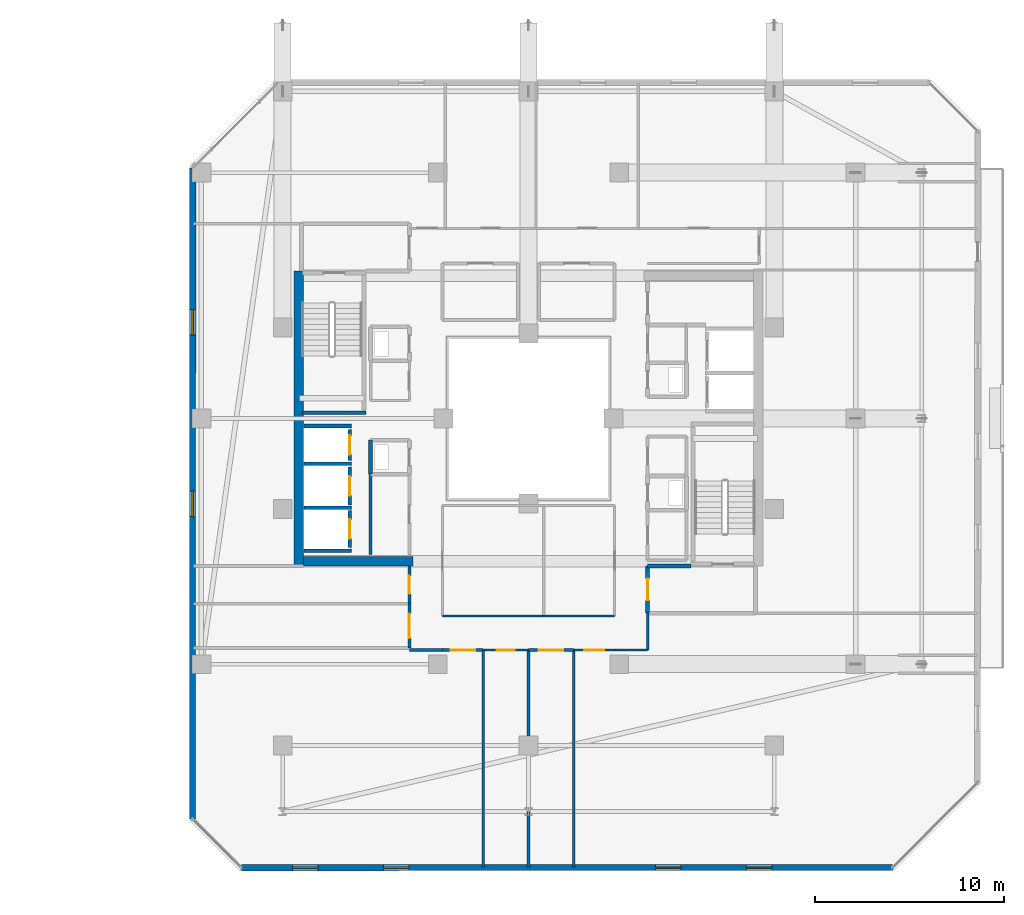
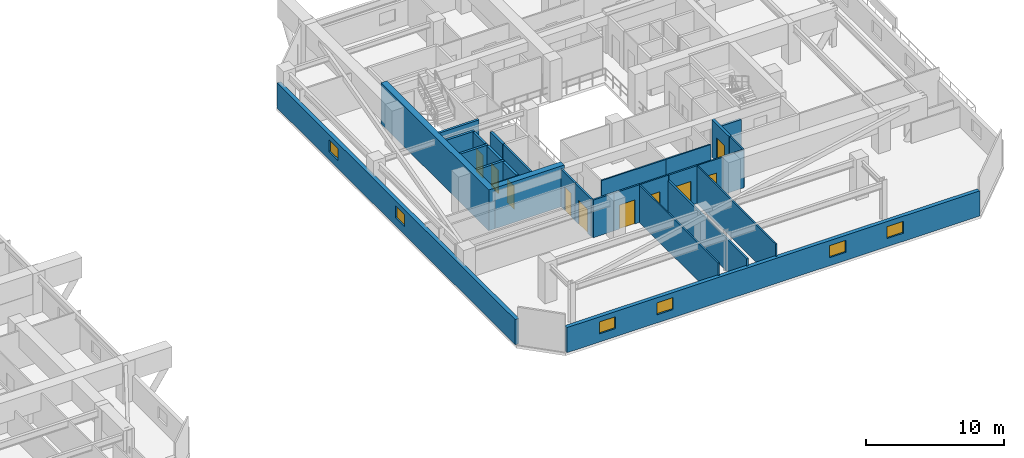
# One storey, part 24 of 34: 30 walls, 10 doors, 6 windows, 16 openings.
"""IFC4 building model written with IfcOpenShell, lengths in metres."""

from ifc_helpers import new_model, si_unit, direction, frame, frame_2d, origin, place, context, subcontext, project, spatial, rectangle, extrude, material, layer, layer_set, type_object, element, fill, save


model = new_model("IFC4")

# Units and contexts
model_context = context("Model", 3, precision=1e-05, world=origin(), true_north=direction((0.0, 1.0)))
body_context = subcontext(model_context, "Body", "Model", "MODEL_VIEW")
ifc_project = project(units=[si_unit("LENGTHUNIT", "METRE"), si_unit("AREAUNIT", "SQUARE_METRE"), si_unit("VOLUMEUNIT", "CUBIC_METRE"), si_unit("PLANEANGLEUNIT", "RADIAN"), si_unit("MASSUNIT", "GRAM", prefix="KILO")], contexts=[model_context])

# Site, building, storey
site_placement = place(None, origin())
site = spatial("IfcSite", under=ifc_project, at=site_placement, CompositionType="ELEMENT")
building_placement = place(site_placement, origin())
building = spatial("IfcBuilding", under=site, at=building_placement, Name="Thornwick Lancets Civic Towers", CompositionType="ELEMENT")
storey_placement = place(building_placement, frame((0.0, 0.0, 251.10009765625)))
storey = spatial("IfcBuildingStorey", under=building, at=storey_placement, Name="L67", CompositionType="ELEMENT", Elevation=251.10009765625)

# Wall, opening, door
ifc_material_1 = material(Name="Concrete blockwork C40/50", Category="masonry")
ifc_layer_1 = layer(ifc_material_1, 0.199951171875, Name="Concrete blockwork C40/50")
ifc_layer_set_1 = layer_set([ifc_layer_1], Name="Concrete blockwork C40/50")
wall_type_1 = type_object("IfcWallType", Name="WALL_COMP_200", PredefinedType="STANDARD", material=ifc_layer_set_1)
wall_1_placement = place(storey_placement, frame((79.050048828125, 24.780029296875, 0.0), z_axis=(0.0, 0.0, 1.0), x_axis=(0.0, 1.0, 0.0)))
wall_1 = element("IfcWall", 1, at=wall_1_placement, inside=storey, type_object=wall_type_1, Name="L67 Hoistway Front Wall FL-B2", PredefinedType="STANDARD", context=body_context, shape_type="SweptSolid", body=[
    extrude(rectangle(XDim=1.639892578125, YDim=0.199951171875, at=frame_2d((0.81982421875, 0.0))), origin(), (0.0, 0.0, 1.0), 3.31982421875),
])
opening_1_placement = place(wall_1_placement, frame((0.31005859375, 0.0, 0.0)))
opening_1 = element("IfcOpeningElement", 2, at=opening_1_placement, cuts=wall_1, Name="Opening LD-FL-B2", PredefinedType="OPENING", context=body_context, shape_type="SweptSolid", body=[
    extrude(rectangle(XDim=1.02001953125, YDim=2.06005859375, at=frame_2d((0.510009765625, 1.030029296875))), frame((0.0, 0.10986328125, 0.0), z_axis=(0.0, -1.0, 0.0), x_axis=(1.0, 0.0, 0.0)), (0.0, 0.0, 1.0), 0.219970703125),
])
ifc_material_2 = material(Name="Brushed bronze stainless steel", Category="steel")
door_type_1 = type_object("IfcDoorType", Name="DOOR_LIFT_SLIDE", OperationType="SLIDING_TO_LEFT", PredefinedType="DOOR", material=ifc_material_2)
door_1_placement = place(opening_1_placement, origin())
door_1 = element("IfcDoor", 3, at=door_1_placement, inside=storey, type_object=door_type_1, Name="L67 Sliding Lift Landing Door LD-FL-B2", OperationType="SLIDING_TO_LEFT", OverallHeight=2.06005859375, OverallWidth=1.02001953125, PredefinedType="DOOR", context=body_context, shape_type="SweptSolid", body=[
    extrude(rectangle(XDim=1.02001953125, YDim=2.06005859375, at=frame_2d((0.510009765625, 1.030029296875))), frame((0.0, 0.02490234375, 0.0), z_axis=(0.0, -1.0, 0.0), x_axis=(1.0, 0.0, 0.0)), (0.0, 0.0, 1.0), 0.050048828125),
])
fill(opening_1, door_1)

wall_2_placement = place(storey_placement, frame((79.050048828125, 22.429931640625, 0.0), z_axis=(0.0, 0.0, 1.0), x_axis=(0.0, 1.0, 0.0)))
wall_2 = element("IfcWall", 4, at=wall_2_placement, inside=storey, type_object=wall_type_1, Name="L67 Hoistway Front Wall PL-BH2", PredefinedType="STANDARD", context=body_context, shape_type="SweptSolid", body=[
    extrude(rectangle(XDim=1.989990234375, YDim=0.199951171875, at=frame_2d((0.9951171875, 0.0))), origin(), (0.0, 0.0, 1.0), 3.31982421875),
])
opening_2_placement = place(wall_2_placement, frame((0.485107421875, 0.0, 0.0)))
opening_2 = element("IfcOpeningElement", 5, at=opening_2_placement, cuts=wall_2, Name="Opening LD-PL-BH2", PredefinedType="OPENING", context=body_context, shape_type="SweptSolid", body=[
    extrude(rectangle(XDim=1.02001953125, YDim=2.06005859375, at=frame_2d((0.510009765625, 1.030029296875))), frame((0.0, 0.10986328125, 0.0), z_axis=(0.0, -1.0, 0.0), x_axis=(1.0, 0.0, 0.0)), (0.0, 0.0, 1.0), 0.219970703125),
])
door_2_placement = place(opening_2_placement, origin())
door_2 = element("IfcDoor", 6, at=door_2_placement, inside=storey, type_object=door_type_1, Name="L67 Sliding Lift Landing Door LD-PL-BH2", OperationType="SLIDING_TO_LEFT", OverallHeight=2.06005859375, OverallWidth=1.02001953125, PredefinedType="DOOR", context=body_context, shape_type="SweptSolid", body=[
    extrude(rectangle(XDim=1.02001953125, YDim=2.06005859375, at=frame_2d((0.510009765625, 1.030029296875))), frame((0.0, 0.02490234375, 0.0), z_axis=(0.0, -1.0, 0.0), x_axis=(1.0, 0.0, 0.0)), (0.0, 0.0, 1.0), 0.050048828125),
])
fill(opening_2, door_2)

wall_3_placement = place(storey_placement, frame((79.050048828125, 20.179931640625, 0.0), z_axis=(0.0, 0.0, 1.0), x_axis=(0.0, 1.0, 0.0)))
wall_3 = element("IfcWall", 7, at=wall_3_placement, inside=storey, type_object=wall_type_1, Name="L67 Hoistway Front Wall PL-BH3", PredefinedType="STANDARD", context=body_context, shape_type="SweptSolid", body=[
    extrude(rectangle(XDim=1.940185546875, YDim=0.199951171875, at=frame_2d((0.97021484375, 0.0))), origin(), (0.0, 0.0, 1.0), 3.31982421875),
])
opening_3_placement = place(wall_3_placement, frame((0.4599609375, 0.0, 0.0)))
opening_3 = element("IfcOpeningElement", 8, at=opening_3_placement, cuts=wall_3, Name="Opening LD-PL-BH3", PredefinedType="OPENING", context=body_context, shape_type="SweptSolid", body=[
    extrude(rectangle(XDim=1.02001953125, YDim=2.06005859375, at=frame_2d((0.510009765625, 1.030029296875))), frame((0.0, 0.10986328125, 0.0), z_axis=(0.0, -1.0, 0.0), x_axis=(1.0, 0.0, 0.0)), (0.0, 0.0, 1.0), 0.219970703125),
])
door_3_placement = place(opening_3_placement, origin())
door_3 = element("IfcDoor", 9, at=door_3_placement, inside=storey, type_object=door_type_1, Name="L67 Sliding Lift Landing Door LD-PL-BH3", OperationType="SLIDING_TO_LEFT", OverallHeight=2.06005859375, OverallWidth=1.02001953125, PredefinedType="DOOR", context=body_context, shape_type="SweptSolid", body=[
    extrude(rectangle(XDim=1.02001953125, YDim=2.06005859375, at=frame_2d((0.510009765625, 1.030029296875))), frame((0.0, 0.02490234375, 0.0), z_axis=(0.0, -1.0, 0.0), x_axis=(1.0, 0.0, 0.0)), (0.0, 0.0, 1.0), 0.050048828125),
])
fill(opening_3, door_3)

# Walls
for number, where, z_axis, x_axis, name in (
    (10, (76.612060546875, 26.60009765625, 0.0), (0.0, 0.0, 1.0), (1.0, 0.0, 0.0), "L67 Hoistway Shaft Wall FL-B2 N"),
    (11, (76.612060546875, 24.60009765625, 0.0), (0.0, 0.0, 1.0), (1.0, 0.0, 0.0), "L67 Hoistway Shaft Wall FL-B2 S"),
    (12, (76.612060546875, 22.27490234375, 0.0), (0.0, 0.0, 1.0), (1.0, 0.0, 0.0), "L67 Hoistway Shaft Wall PL-BH2 S"),
    (13, (76.612060546875, 20.0, 0.0), (0.0, 0.0, 1.0), (1.0, 0.0, 0.0), "L67 Hoistway Shaft Wall PL-BH3 S"),
):
    element("IfcWall", number, at=place(storey_placement, frame(where, z_axis=z_axis, x_axis=x_axis)), inside=storey, type_object=wall_type_1, Name=name, PredefinedType="STANDARD", context=body_context, shape_type="SweptSolid", body=[
        extrude(rectangle(XDim=2.535888671875, YDim=0.199951171875, at=frame_2d((1.26806640625, 0.0))), origin(), (0.0, 0.0, 1.0), 3.31982421875),
    ])
wall_4_placement = place(storey_placement, frame((97.10009765625, 19.199951171875, 0.0), z_axis=(0.0, 0.0, 1.0), x_axis=(-1.0, 0.0, 0.0)))
element("IfcWall", 14, at=wall_4_placement, inside=storey, type_object=wall_type_1, Name="L67 Partition L67-B-FFLOB1 E3", PredefinedType="STANDARD", context=body_context, shape_type="SweptSolid", body=[
    extrude(rectangle(XDim=2.300048828125, YDim=0.199951171875, at=frame_2d((1.14990234375, 0.0))), origin(), (0.0, 0.0, 1.0), 2.52490234375),
])

# Wall, opening, door
wall_5_placement = place(storey_placement, frame((94.800048828125, 19.199951171875, 0.0), z_axis=(0.0, 0.0, 1.0), x_axis=(0.0, -1.0, 0.0)))
wall_5 = element("IfcWall", 15, at=wall_5_placement, inside=storey, type_object=wall_type_1, Name="L67 Partition L67-B-FFLOB1 E4", PredefinedType="STANDARD", context=body_context, shape_type="SweptSolid", body=[
    extrude(rectangle(XDim=2.5, YDim=0.199951171875, at=frame_2d((1.25, 0.0))), origin(), (0.0, 0.0, 1.0), 3.31982421875),
])
opening_4_placement = place(wall_5_placement, frame((0.675048828125, 0.0, 0.0)))
opening_4 = element("IfcOpeningElement", 16, at=opening_4_placement, cuts=wall_5, Name="Opening D-L67-3045", PredefinedType="OPENING", context=body_context, shape_type="SweptSolid", body=[
    extrude(rectangle(XDim=1.14990234375, YDim=2.10009765625, at=frame_2d((0.574951171875, 1.050048828125))), frame((0.0, 0.10986328125, 0.0), z_axis=(0.0, -1.0, 0.0), x_axis=(1.0, 0.0, 0.0)), (0.0, 0.0, 1.0), 0.219970703125),
])
ifc_material_3 = material(Name="Glazed fire-resisting steel", Category="steel")
door_type_2 = type_object("IfcDoorType", Name="DOOR_LOBBY_FD60", OperationType="NOTDEFINED", PredefinedType="DOOR", material=ifc_material_3)
door_4_placement = place(opening_4_placement, origin())
door_4 = element("IfcDoor", 17, at=door_4_placement, inside=storey, type_object=door_type_2, Name="L67 East Firefighting Lobby 1 Door", OperationType="SINGLE_SWING_RIGHT", OverallHeight=2.10009765625, OverallWidth=1.14990234375, PredefinedType="DOOR", context=body_context, shape_type="SweptSolid", body=[
    extrude(rectangle(XDim=1.14990234375, YDim=2.10009765625, at=frame_2d((0.574951171875, 1.050048828125))), frame((0.0, 0.02490234375, 0.0), z_axis=(0.0, -1.0, 0.0), x_axis=(1.0, 0.0, 0.0)), (0.0, 0.0, 1.0), 0.050048828125),
])
fill(opening_4, door_4)

# Walls
wall_6_placement = place(storey_placement, frame((80.14990234375, 25.85009765625, 0.0), z_axis=(0.0, 0.0, 1.0), x_axis=(0.0, -1.0, 0.0)))
element("IfcWall", 18, at=wall_6_placement, inside=storey, type_object=wall_type_1, Name="L67 Partition L67-B-DUCT2 E4", PredefinedType="STANDARD", context=body_context, shape_type="SweptSolid", body=[
    extrude(rectangle(XDim=1.800048828125, YDim=0.199951171875, at=frame_2d((0.89990234375, 0.0))), origin(), (0.0, 0.0, 1.0), 3.31982421875),
])
ifc_material_4 = material(Name="Concrete C50/60", Category="concrete")
ifc_layer_2 = layer(ifc_material_4, 0.5, Name="Concrete C50/60")
ifc_layer_set_2 = layer_set([ifc_layer_2], Name="Concrete C50/60")
wall_type_2 = type_object("IfcWallType", Name="WALL_CORE_500", PredefinedType="SHEAR", material=ifc_layer_set_2)
wall_7_placement = place(storey_placement, frame((76.35009765625, 19.199951171875, 0.0), z_axis=(0.0, 0.0, 1.0), x_axis=(0.0, 1.0, 0.0)))
element("IfcWall", 19, at=wall_7_placement, inside=storey, type_object=wall_type_2, Name="L67 Split Core B2 Shear Wall W", PredefinedType="SHEAR", context=body_context, shape_type="SweptSolid", body=[
    extrude(rectangle(XDim=15.60009765625, YDim=0.5, at=frame_2d((7.800048828125, 0.0))), origin(), (0.0, 0.0, 1.0), 3.599853515625),
])
wall_8_placement = place(storey_placement, frame((76.60009765625, 19.449951171875, 0.0), z_axis=(0.0, 0.0, 1.0), x_axis=(1.0, 0.0, 0.0)))
element("IfcWall", 20, at=wall_8_placement, inside=storey, type_object=wall_type_2, Name="L67 Split Core B2 Shear Wall S", PredefinedType="SHEAR", context=body_context, shape_type="SweptSolid", body=[
    extrude(rectangle(XDim=5.7998046875, YDim=0.5, at=frame_2d((2.89990234375, 0.0))), origin(), (0.0, 0.0, 1.0), 3.599853515625),
])

# Wall, openings, windows
ifc_material_5 = material(Name="Insulated buff terracotta rainscreen on concrete C40/50", Category="masonry")
ifc_layer_3 = layer(ifc_material_5, 0.320068359375, Name="Insulated buff terracotta rainscreen on concrete C40/50")
ifc_layer_set_3 = layer_set([ifc_layer_3], Name="Insulated buff terracotta rainscreen on concrete C40/50")
wall_type_3 = type_object("IfcWallType", Name="WALL_EXT_TERRA_320", PredefinedType="STANDARD", material=ifc_layer_set_3)
wall_9_placement = place(storey_placement, frame((73.318603515625, 3.2353515625, 0.0), z_axis=(0.0, 0.0, 1.0), x_axis=(0.999999983007, 0.000184351399, 0.0)))
wall_9 = element("IfcWall", 21, at=wall_9_placement, inside=storey, type_object=wall_type_3, Name="L67 Tower B Terracotta Facade Wall E0", PredefinedType="STANDARD", context=body_context, shape_type="SweptSolid", body=[
    extrude(rectangle(XDim=34.432373046875, YDim=0.320068359375, at=frame_2d((17.21630859375, 0.0))), origin(), (0.0, 0.0, 1.0), 2.219970703125),
])
opening_5_placement = place(wall_9_placement, frame((2.699951171875, 0.0, 0.719970703125)))
opening_5 = element("IfcOpeningElement", 22, at=opening_5_placement, cuts=wall_9, Name="Opening WL-03", PredefinedType="OPENING", context=body_context, shape_type="SweptSolid", body=[
    extrude(rectangle(XDim=1.35009765625, YDim=1.050048828125, at=frame_2d((0.675048828125, 0.52490234375))), frame((0.0, 0.169921875, 0.0), z_axis=(0.0, -1.0, 0.0), x_axis=(1.0, 0.0, 0.0)), (0.0, 0.0, 1.0), 0.340087890625),
])
opening_6_placement = place(wall_9_placement, frame((7.5, 0.0, 0.719970703125)))
opening_6 = element("IfcOpeningElement", 23, at=opening_6_placement, cuts=wall_9, Name="Opening WL-03", PredefinedType="OPENING", context=body_context, shape_type="SweptSolid", body=[
    extrude(rectangle(XDim=1.35009765625, YDim=1.050048828125, at=frame_2d((0.675048828125, 0.52490234375))), frame((0.0, 0.169921875, 0.0), z_axis=(0.0, -1.0, 0.0), x_axis=(1.0, 0.0, 0.0)), (0.0, 0.0, 1.0), 0.340087890625),
])
opening_7_placement = place(wall_9_placement, frame((21.89990234375, 0.0, 0.719970703125)))
opening_7 = element("IfcOpeningElement", 24, at=opening_7_placement, cuts=wall_9, Name="Opening WL-03", PredefinedType="OPENING", context=body_context, shape_type="SweptSolid", body=[
    extrude(rectangle(XDim=1.35009765625, YDim=1.050048828125, at=frame_2d((0.675048828125, 0.52490234375))), frame((0.0, 0.169921875, 0.0), z_axis=(0.0, -1.0, 0.0), x_axis=(1.0, 0.0, 0.0)), (0.0, 0.0, 1.0), 0.340087890625),
])
opening_8_placement = place(wall_9_placement, frame((26.699951171875, 0.0, 0.719970703125)))
opening_8 = element("IfcOpeningElement", 25, at=opening_8_placement, cuts=wall_9, Name="Opening WL-03", PredefinedType="OPENING", context=body_context, shape_type="SweptSolid", body=[
    extrude(rectangle(XDim=1.35009765625, YDim=1.050048828125, at=frame_2d((0.675048828125, 0.52490234375))), frame((0.0, 0.169921875, 0.0), z_axis=(0.0, -1.0, 0.0), x_axis=(1.0, 0.0, 0.0)), (0.0, 0.0, 1.0), 0.340087890625),
])
ifc_material_6 = material(Name="Clear low-e double glazing clerestory lancet", Category="glass")
window_type = type_object("IfcWindowType", Name="WIN_LANCET_1350", PartitioningType="SINGLE_PANEL", PredefinedType="WINDOW", material=ifc_material_6)
window_1_placement = place(opening_5_placement, origin())
window_1 = element("IfcWindow", 26, at=window_1_placement, inside=storey, type_object=window_type, Name="L67 Tower B Staggered Lancet Window E0-1", OverallHeight=1.050048828125, OverallWidth=1.35009765625, PartitioningType="SINGLE_PANEL", PredefinedType="WINDOW", context=body_context, shape_type="SweptSolid", body=[
    extrude(rectangle(XDim=1.35009765625, YDim=1.050048828125, at=frame_2d((0.675048828125, 0.52490234375))), frame((0.0, 0.030029296875, 0.0), z_axis=(0.0, -1.0, 0.0), x_axis=(1.0, 0.0, 0.0)), (0.0, 0.0, 1.0), 0.06005859375),
])
fill(opening_5, window_1)
window_2_placement = place(opening_6_placement, origin())
window_2 = element("IfcWindow", 27, at=window_2_placement, inside=storey, type_object=window_type, Name="L67 Tower B Staggered Lancet Window E0-2", OverallHeight=1.050048828125, OverallWidth=1.35009765625, PartitioningType="SINGLE_PANEL", PredefinedType="WINDOW", context=body_context, shape_type="SweptSolid", body=[
    extrude(rectangle(XDim=1.35009765625, YDim=1.050048828125, at=frame_2d((0.675048828125, 0.52490234375))), frame((0.0, 0.030029296875, 0.0), z_axis=(0.0, -1.0, 0.0), x_axis=(1.0, 0.0, 0.0)), (0.0, 0.0, 1.0), 0.06005859375),
])
fill(opening_6, window_2)
window_3_placement = place(opening_7_placement, origin())
window_3 = element("IfcWindow", 28, at=window_3_placement, inside=storey, type_object=window_type, Name="L67 Tower B Staggered Lancet Window E0-3", OverallHeight=1.050048828125, OverallWidth=1.35009765625, PartitioningType="SINGLE_PANEL", PredefinedType="WINDOW", context=body_context, shape_type="SweptSolid", body=[
    extrude(rectangle(XDim=1.35009765625, YDim=1.050048828125, at=frame_2d((0.675048828125, 0.52490234375))), frame((0.0, 0.030029296875, 0.0), z_axis=(0.0, -1.0, 0.0), x_axis=(1.0, 0.0, 0.0)), (0.0, 0.0, 1.0), 0.06005859375),
])
fill(opening_7, window_3)
window_4_placement = place(opening_8_placement, origin())
window_4 = element("IfcWindow", 29, at=window_4_placement, inside=storey, type_object=window_type, Name="L67 Tower B Staggered Lancet Window E0-4", OverallHeight=1.050048828125, OverallWidth=1.35009765625, PartitioningType="SINGLE_PANEL", PredefinedType="WINDOW", context=body_context, shape_type="SweptSolid", body=[
    extrude(rectangle(XDim=1.35009765625, YDim=1.050048828125, at=frame_2d((0.675048828125, 0.52490234375))), frame((0.0, 0.030029296875, 0.0), z_axis=(0.0, -1.0, 0.0), x_axis=(1.0, 0.0, 0.0)), (0.0, 0.0, 1.0), 0.06005859375),
])
fill(opening_8, window_4)

wall_10_placement = place(storey_placement, frame((70.74169921875, 40.2509765625, 0.0), z_axis=(0.0, 0.0, 1.0), x_axis=(-0.000184351399, -0.999999983007, 0.0)))
wall_10 = element("IfcWall", 30, at=wall_10_placement, inside=storey, type_object=wall_type_3, Name="L67 Tower B Terracotta Facade Wall E6", PredefinedType="STANDARD", context=body_context, shape_type="SweptSolid", body=[
    extrude(rectangle(XDim=34.432373046875, YDim=0.320068359375, at=frame_2d((17.21630859375, 0.0))), origin(), (0.0, 0.0, 1.0), 2.219970703125),
])
opening_9_placement = place(wall_10_placement, frame((7.5, 0.0, 0.719970703125)))
opening_9 = element("IfcOpeningElement", 31, at=opening_9_placement, cuts=wall_10, Name="Opening WL-03", PredefinedType="OPENING", context=body_context, shape_type="SweptSolid", body=[
    extrude(rectangle(XDim=1.35009765625, YDim=1.050048828125, at=frame_2d((0.675048828125, 0.52490234375))), frame((0.0, 0.169921875, 0.0), z_axis=(0.0, -1.0, 0.0), x_axis=(1.0, 0.0, 0.0)), (0.0, 0.0, 1.0), 0.340087890625),
])
opening_10_placement = place(wall_10_placement, frame((17.10009765625, 0.0, 0.719970703125)))
opening_10 = element("IfcOpeningElement", 32, at=opening_10_placement, cuts=wall_10, Name="Opening WL-03", PredefinedType="OPENING", context=body_context, shape_type="SweptSolid", body=[
    extrude(rectangle(XDim=1.35009765625, YDim=1.050048828125, at=frame_2d((0.675048828125, 0.52490234375))), frame((0.0, 0.169921875, 0.0), z_axis=(0.0, -1.0, 0.0), x_axis=(1.0, 0.0, 0.0)), (0.0, 0.0, 1.0), 0.340087890625),
])
window_5_placement = place(opening_9_placement, origin())
window_5 = element("IfcWindow", 33, at=window_5_placement, inside=storey, type_object=window_type, Name="L67 Tower B Staggered Lancet Window E6-1", OverallHeight=1.050048828125, OverallWidth=1.35009765625, PartitioningType="SINGLE_PANEL", PredefinedType="WINDOW", context=body_context, shape_type="SweptSolid", body=[
    extrude(rectangle(XDim=1.35009765625, YDim=1.050048828125, at=frame_2d((0.675048828125, 0.52490234375))), frame((0.0, 0.030029296875, 0.0), z_axis=(0.0, -1.0, 0.0), x_axis=(1.0, 0.0, 0.0)), (0.0, 0.0, 1.0), 0.06005859375),
])
fill(opening_9, window_5)
window_6_placement = place(opening_10_placement, origin())
window_6 = element("IfcWindow", 34, at=window_6_placement, inside=storey, type_object=window_type, Name="L67 Tower B Staggered Lancet Window E6-2", OverallHeight=1.050048828125, OverallWidth=1.35009765625, PartitioningType="SINGLE_PANEL", PredefinedType="WINDOW", context=body_context, shape_type="SweptSolid", body=[
    extrude(rectangle(XDim=1.35009765625, YDim=1.050048828125, at=frame_2d((0.675048828125, 0.52490234375))), frame((0.0, 0.030029296875, 0.0), z_axis=(0.0, -1.0, 0.0), x_axis=(1.0, 0.0, 0.0)), (0.0, 0.0, 1.0), 0.06005859375),
])
fill(opening_10, window_6)

# Wall
ifc_material_7 = material(Name="Acoustic gypsum board partition")
ifc_layer_4 = layer(ifc_material_7, 0.1201171875, Name="Acoustic gypsum board partition")
ifc_layer_set_4 = layer_set([ifc_layer_4], Name="Acoustic gypsum board partition")
wall_type_4 = type_object("IfcWallType", Name="WALL_PART_120", PredefinedType="PARTITIONING", material=ifc_layer_set_4)
wall_11_placement = place(storey_placement, frame((90.89990234375, 3.280029296875, 0.0), z_axis=(0.0, 0.0, 1.0), x_axis=(0.0, 1.0, 0.0)))
element("IfcWall", 35, at=wall_11_placement, inside=storey, type_object=wall_type_4, Name="L67 Partition L67-B-W1 E2", PredefinedType="PARTITIONING", context=body_context, shape_type="SweptSolid", body=[
    extrude(rectangle(XDim=11.469970703125, YDim=0.1201171875, at=frame_2d((5.73486328125, 0.0))), origin(), (0.0, 0.0, 1.0), 3.31982421875),
])

# Wall, opening, door
wall_12_placement = place(storey_placement, frame((90.89990234375, 14.75, 0.0), z_axis=(0.0, 0.0, 1.0), x_axis=(1.0, 0.0, 0.0)))
wall_12 = element("IfcWall", 36, at=wall_12_placement, inside=storey, type_object=wall_type_4, Name="L67 Partition L67-B-W1 E3", PredefinedType="PARTITIONING", context=body_context, shape_type="SweptSolid", body=[
    extrude(rectangle(XDim=2.150146484375, YDim=0.1201171875, at=frame_2d((1.0751953125, 0.0))), origin(), (0.0, 0.0, 1.0), 3.31982421875),
])
opening_11_placement = place(wall_12_placement, frame((0.550048828125, 0.0, 0.0)))
opening_11 = element("IfcOpeningElement", 37, at=opening_11_placement, cuts=wall_12, Name="Opening D-L67-3075", PredefinedType="OPENING", context=body_context, shape_type="SweptSolid", body=[
    extrude(rectangle(XDim=1.050048828125, YDim=2.10009765625, at=frame_2d((0.52490234375, 1.050048828125))), frame((0.0, 0.070068359375, 0.0), z_axis=(0.0, -1.0, 0.0), x_axis=(1.0, 0.0, 0.0)), (0.0, 0.0, 1.0), 0.14013671875),
])
ifc_material_8 = material(Name="Glazed European oak executive doorset")
door_type_3 = type_object("IfcDoorType", Name="DOOR_OFFICE_1050", OperationType="NOTDEFINED", PredefinedType="DOOR", material=ifc_material_8)
door_5_placement = place(opening_11_placement, origin())
door_5 = element("IfcDoor", 38, at=door_5_placement, inside=storey, type_object=door_type_3, Name="L67 Tower B Ministry Directorate Office W1 Door", OperationType="SINGLE_SWING_RIGHT", OverallHeight=2.10009765625, OverallWidth=1.050048828125, PredefinedType="DOOR", context=body_context, shape_type="SweptSolid", body=[
    extrude(rectangle(XDim=1.050048828125, YDim=2.10009765625, at=frame_2d((0.52490234375, 1.050048828125))), frame((0.0, 0.02490234375, 0.0), z_axis=(0.0, -1.0, 0.0), x_axis=(1.0, 0.0, 0.0)), (0.0, 0.0, 1.0), 0.050048828125),
])
fill(opening_11, door_5)

# Walls
wall_13_placement = place(storey_placement, frame((93.050048828125, 14.75, 0.0), z_axis=(0.0, 0.0, 1.0), x_axis=(1.0, 0.0, 0.0)))
element("IfcWall", 39, at=wall_13_placement, inside=storey, type_object=wall_type_4, Name="L67 Partition L67-B-W1 E4", PredefinedType="PARTITIONING", context=body_context, shape_type="SweptSolid", body=[
    extrude(rectangle(XDim=1.75, YDim=0.1201171875, at=frame_2d((0.875, 0.0))), origin(), (0.0, 0.0, 1.0), 3.31982421875),
])
wall_14_placement = place(storey_placement, frame((94.800048828125, 14.75, 0.0), z_axis=(0.0, 0.0, 1.0), x_axis=(0.0, 1.0, 0.0)))
element("IfcWall", 40, at=wall_14_placement, inside=storey, type_object=wall_type_4, Name="L67 Partition L67-B-W1 E5", PredefinedType="PARTITIONING", context=body_context, shape_type="SweptSolid", body=[
    extrude(rectangle(XDim=1.949951171875, YDim=0.1201171875, at=frame_2d((0.97509765625, 0.0))), origin(), (0.0, 0.0, 1.0), 3.31982421875),
])
wall_15_placement = place(storey_placement, frame((86.10009765625, 3.280029296875, 0.0), z_axis=(0.0, 0.0, 1.0), x_axis=(0.0, 1.0, 0.0)))
element("IfcWall", 41, at=wall_15_placement, inside=storey, type_object=wall_type_4, Name="L67 Partition L67-B-W2B E3", PredefinedType="PARTITIONING", context=body_context, shape_type="SweptSolid", body=[
    extrude(rectangle(XDim=11.469970703125, YDim=0.1201171875, at=frame_2d((5.73486328125, 0.0))), origin(), (0.0, 0.0, 1.0), 3.31982421875),
])

# Wall, opening, door
wall_16_placement = place(storey_placement, frame((86.10009765625, 14.75, 0.0), z_axis=(0.0, 0.0, 1.0), x_axis=(1.0, 0.0, 0.0)))
wall_16 = element("IfcWall", 42, at=wall_16_placement, inside=storey, type_object=wall_type_4, Name="L67 Partition L67-B-W2B E4", PredefinedType="PARTITIONING", context=body_context, shape_type="SweptSolid", body=[
    extrude(rectangle(XDim=2.39990234375, YDim=0.1201171875, at=frame_2d((1.199951171875, 0.0))), origin(), (0.0, 0.0, 1.0), 3.31982421875),
])
opening_12_placement = place(wall_16_placement, frame((0.72509765625, 0.0, 0.0)))
opening_12 = element("IfcOpeningElement", 43, at=opening_12_placement, cuts=wall_16, Name="Opening D-L67-3077", PredefinedType="OPENING", context=body_context, shape_type="SweptSolid", body=[
    extrude(rectangle(XDim=0.949951171875, YDim=2.10009765625, at=frame_2d((0.47509765625, 1.050048828125))), frame((0.0, 0.070068359375, 0.0), z_axis=(0.0, -1.0, 0.0), x_axis=(1.0, 0.0, 0.0)), (0.0, 0.0, 1.0), 0.14013671875),
])
ifc_material_9 = material(Name="European oak acoustic doorset")
door_type_4 = type_object("IfcDoorType", Name="DOOR_OFFICE_950", OperationType="NOTDEFINED", PredefinedType="DOOR", material=ifc_material_9)
door_6_placement = place(opening_12_placement, origin())
door_6 = element("IfcDoor", 44, at=door_6_placement, inside=storey, type_object=door_type_4, Name="L67 Tower B Senior Counsel Office W2B Door", OperationType="SINGLE_SWING_RIGHT", OverallHeight=2.10009765625, OverallWidth=0.949951171875, PredefinedType="DOOR", context=body_context, shape_type="SweptSolid", body=[
    extrude(rectangle(XDim=0.949951171875, YDim=2.10009765625, at=frame_2d((0.47509765625, 1.050048828125))), frame((0.0, 0.02490234375, 0.0), z_axis=(0.0, -1.0, 0.0), x_axis=(1.0, 0.0, 0.0)), (0.0, 0.0, 1.0), 0.050048828125),
])
fill(opening_12, door_6)

# Walls
wall_17_placement = place(storey_placement, frame((93.050048828125, 16.550048828125, 0.0), z_axis=(0.0, 0.0, 1.0), x_axis=(-1.0, 0.0, 0.0)))
element("IfcWall", 45, at=wall_17_placement, inside=storey, type_object=wall_type_4, Name="L67 Partition L67-B-W3 E4", PredefinedType="PARTITIONING", context=body_context, shape_type="SweptSolid", body=[
    extrude(rectangle(XDim=3.75, YDim=0.1201171875, at=frame_2d((1.875, 0.0))), origin(), (0.0, 0.0, 1.0), 3.31982421875),
])
wall_18_placement = place(storey_placement, frame((89.300048828125, 16.550048828125, 0.0), z_axis=(0.0, 0.0, 1.0), x_axis=(-1.0, 0.0, 0.0)))
element("IfcWall", 46, at=wall_18_placement, inside=storey, type_object=wall_type_4, Name="L67 Partition L67-B-W4 E4", PredefinedType="PARTITIONING", context=body_context, shape_type="SweptSolid", body=[
    extrude(rectangle(XDim=5.35009765625, YDim=0.1201171875, at=frame_2d((2.675048828125, 0.0))), origin(), (0.0, 0.0, 1.0), 3.31982421875),
])
ifc_material_10 = material(Name="Twin-stud acoustic gypsum board")
ifc_layer_5 = layer(ifc_material_10, 0.14990234375, Name="Twin-stud acoustic gypsum board")
ifc_layer_set_5 = layer_set([ifc_layer_5], Name="Twin-stud acoustic gypsum board")
wall_type_5 = type_object("IfcWallType", Name="WALL_PART_150", PredefinedType="PARTITIONING", material=ifc_layer_set_5)
wall_19_placement = place(storey_placement, frame((80.14990234375, 19.800048828125, 0.0), z_axis=(0.0, 0.0, 1.0), x_axis=(0.0, 1.0, 0.0)))
element("IfcWall", 47, at=wall_19_placement, inside=storey, type_object=wall_type_5, Name="L67 Partition L67-B-FWC E2", PredefinedType="PARTITIONING", context=body_context, shape_type="SweptSolid", body=[
    extrude(rectangle(XDim=4.25, YDim=0.14990234375, at=frame_2d((2.125, 0.0))), origin(), (0.0, 0.0, 1.0), 3.31982421875),
])

# Wall, opening, door
wall_20_placement = place(storey_placement, frame((82.199951171875, 17.199951171875, 0.0), z_axis=(0.0, 0.0, 1.0), x_axis=(0.0, -1.0, 0.0)))
wall_20 = element("IfcWall", 48, at=wall_20_placement, inside=storey, type_object=wall_type_5, Name="L67 Partition L67-B-RECLAIM-M1 E4", PredefinedType="PARTITIONING", context=body_context, shape_type="SweptSolid", body=[
    extrude(rectangle(XDim=2.349853515625, YDim=0.14990234375, at=frame_2d((1.1748046875, 0.0))), origin(), (0.0, 0.0, 1.0), 3.31982421875),
])
opening_13_placement = place(wall_20_placement, frame((0.52490234375, 0.0, 0.0)))
opening_13 = element("IfcOpeningElement", 49, at=opening_13_placement, cuts=wall_20, Name="Opening D-L67-3073", PredefinedType="OPENING", context=body_context, shape_type="SweptSolid", body=[
    extrude(rectangle(XDim=1.300048828125, YDim=2.1201171875, at=frame_2d((0.64990234375, 1.06005859375))), frame((0.0, 0.0849609375, 0.0), z_axis=(0.0, -1.0, 0.0), x_axis=(1.0, 0.0, 0.0)), (0.0, 0.0, 1.0), 0.169921875),
])
ifc_material_11 = material(Name="Acoustic oak leaf-and-a-half doorset")
door_type_5 = type_object("IfcDoorType", Name="DOOR_MEET_1300", OperationType="DOUBLE_DOOR_SINGLE_SWING", PredefinedType="DOOR", material=ifc_material_11)
door_7_placement = place(opening_13_placement, origin())
door_7 = element("IfcDoor", 50, at=door_7_placement, inside=storey, type_object=door_type_5, Name="L67 Tower B Diplomatic Conference Room Door", OperationType="DOUBLE_DOOR_SINGLE_SWING", OverallHeight=2.1201171875, OverallWidth=1.300048828125, PredefinedType="DOOR", context=body_context, shape_type="SweptSolid", body=[
    extrude(rectangle(XDim=1.300048828125, YDim=2.1201171875, at=frame_2d((0.64990234375, 1.06005859375))), frame((0.0, 0.02490234375, 0.0), z_axis=(0.0, -1.0, 0.0), x_axis=(1.0, 0.0, 0.0)), (0.0, 0.0, 1.0), 0.050048828125),
])
fill(opening_13, door_7)

wall_21_placement = place(storey_placement, frame((82.199951171875, 19.199951171875, 0.0), z_axis=(0.0, 0.0, 1.0), x_axis=(0.0, -1.0, 0.0)))
wall_21 = element("IfcWall", 51, at=wall_21_placement, inside=storey, type_object=wall_type_5, Name="L67 Partition L67-B-RECLAIM-M2 E4", PredefinedType="PARTITIONING", context=body_context, shape_type="SweptSolid", body=[
    extrude(rectangle(XDim=2.0, YDim=0.14990234375, at=frame_2d((1.0, 0.0))), origin(), (0.0, 0.0, 1.0), 3.31982421875),
])
opening_14_placement = place(wall_21_placement, frame((0.52490234375, 0.0, 0.0)))
opening_14 = element("IfcOpeningElement", 52, at=opening_14_placement, cuts=wall_21, Name="Opening D-L67-3074", PredefinedType="OPENING", context=body_context, shape_type="SweptSolid", body=[
    extrude(rectangle(XDim=0.949951171875, YDim=2.10009765625, at=frame_2d((0.47509765625, 1.050048828125))), frame((0.0, 0.0849609375, 0.0), z_axis=(0.0, -1.0, 0.0), x_axis=(1.0, 0.0, 0.0)), (0.0, 0.0, 1.0), 0.169921875),
])
door_8_placement = place(opening_14_placement, origin())
door_8 = element("IfcDoor", 53, at=door_8_placement, inside=storey, type_object=door_type_4, Name="L67 Tower B Executive Records Archive Door", OperationType="SINGLE_SWING_LEFT", OverallHeight=2.10009765625, OverallWidth=0.949951171875, PredefinedType="DOOR", context=body_context, shape_type="SweptSolid", body=[
    extrude(rectangle(XDim=0.949951171875, YDim=2.10009765625, at=frame_2d((0.47509765625, 1.050048828125))), frame((0.0, 0.02490234375, 0.0), z_axis=(0.0, -1.0, 0.0), x_axis=(1.0, 0.0, 0.0)), (0.0, 0.0, 1.0), 0.050048828125),
])
fill(opening_14, door_8)

# Wall
wall_22_placement = place(storey_placement, frame((88.5, 3.280029296875, 0.0), z_axis=(0.0, 0.0, 1.0), x_axis=(0.0, 1.0, 0.0)))
element("IfcWall", 54, at=wall_22_placement, inside=storey, type_object=wall_type_5, Name="L67 Partition L67-B-W2 E3", PredefinedType="PARTITIONING", context=body_context, shape_type="SweptSolid", body=[
    extrude(rectangle(XDim=11.469970703125, YDim=0.14990234375, at=frame_2d((5.73486328125, 0.0))), origin(), (0.0, 0.0, 1.0), 2.861572265625),
])

# Wall, opening, door
wall_23_placement = place(storey_placement, frame((88.5, 14.75, 0.0), z_axis=(0.0, 0.0, 1.0), x_axis=(1.0, 0.0, 0.0)))
wall_23 = element("IfcWall", 55, at=wall_23_placement, inside=storey, type_object=wall_type_5, Name="L67 Partition L67-B-W2 E4", PredefinedType="PARTITIONING", context=body_context, shape_type="SweptSolid", body=[
    extrude(rectangle(XDim=2.39990234375, YDim=0.14990234375, at=frame_2d((1.199951171875, 0.0))), origin(), (0.0, 0.0, 1.0), 3.31982421875),
])
opening_15_placement = place(wall_23_placement, frame((0.550048828125, 0.0, 0.0)))
opening_15 = element("IfcOpeningElement", 56, at=opening_15_placement, cuts=wall_23, Name="Opening D-L67-3076", PredefinedType="OPENING", context=body_context, shape_type="SweptSolid", body=[
    extrude(rectangle(XDim=1.300048828125, YDim=2.1201171875, at=frame_2d((0.64990234375, 1.06005859375))), frame((0.0, 0.0849609375, 0.0), z_axis=(0.0, -1.0, 0.0), x_axis=(1.0, 0.0, 0.0)), (0.0, 0.0, 1.0), 0.169921875),
])
door_9_placement = place(opening_15_placement, origin())
door_9 = element("IfcDoor", 57, at=door_9_placement, inside=storey, type_object=door_type_5, Name="L67 Tower B Policy Briefing Room W2 Door", OperationType="DOUBLE_DOOR_SINGLE_SWING", OverallHeight=2.1201171875, OverallWidth=1.300048828125, PredefinedType="DOOR", context=body_context, shape_type="SweptSolid", body=[
    extrude(rectangle(XDim=1.300048828125, YDim=2.1201171875, at=frame_2d((0.64990234375, 1.06005859375))), frame((0.0, 0.02490234375, 0.0), z_axis=(0.0, -1.0, 0.0), x_axis=(1.0, 0.0, 0.0)), (0.0, 0.0, 1.0), 0.050048828125),
])
fill(opening_15, door_9)

# Wall
wall_24_placement = place(storey_placement, frame((82.199951171875, 14.75, 0.0), z_axis=(0.0, 0.0, 1.0), x_axis=(1.0, 0.0, 0.0)))
element("IfcWall", 58, at=wall_24_placement, inside=storey, type_object=wall_type_5, Name="L67 Partition L67-B-W2C E5", PredefinedType="PARTITIONING", context=body_context, shape_type="SweptSolid", body=[
    extrude(rectangle(XDim=1.75, YDim=0.14990234375, at=frame_2d((0.875, 0.0))), origin(), (0.0, 0.0, 1.0), 3.31982421875),
])

# Wall, opening, door
wall_25_placement = place(storey_placement, frame((83.949951171875, 14.75, 0.0), z_axis=(0.0, 0.0, 1.0), x_axis=(1.0, 0.0, 0.0)))
wall_25 = element("IfcWall", 59, at=wall_25_placement, inside=storey, type_object=wall_type_5, Name="L67 Partition L67-B-W2C E6", PredefinedType="PARTITIONING", context=body_context, shape_type="SweptSolid", body=[
    extrude(rectangle(XDim=2.150146484375, YDim=0.14990234375, at=frame_2d((1.0751953125, 0.0))), origin(), (0.0, 0.0, 1.0), 3.31982421875),
])
opening_16_placement = place(wall_25_placement, frame((0.425048828125, 0.0, 0.0)))
opening_16 = element("IfcOpeningElement", 60, at=opening_16_placement, cuts=wall_25, Name="Opening D-L67-3078", PredefinedType="OPENING", context=body_context, shape_type="SweptSolid", body=[
    extrude(rectangle(XDim=1.300048828125, YDim=2.1201171875, at=frame_2d((0.64990234375, 1.06005859375))), frame((0.0, 0.0849609375, 0.0), z_axis=(0.0, -1.0, 0.0), x_axis=(1.0, 0.0, 0.0)), (0.0, 0.0, 1.0), 0.169921875),
])
door_10_placement = place(opening_16_placement, origin())
door_10 = element("IfcDoor", 61, at=door_10_placement, inside=storey, type_object=door_type_5, Name="L67 Tower B Statutory Hearing Room W2C Door", OperationType="DOUBLE_DOOR_SINGLE_SWING", OverallHeight=2.1201171875, OverallWidth=1.300048828125, PredefinedType="DOOR", context=body_context, shape_type="SweptSolid", body=[
    extrude(rectangle(XDim=1.300048828125, YDim=2.1201171875, at=frame_2d((0.64990234375, 1.06005859375))), frame((0.0, 0.02490234375, 0.0), z_axis=(0.0, -1.0, 0.0), x_axis=(1.0, 0.0, 0.0)), (0.0, 0.0, 1.0), 0.050048828125),
])
fill(opening_16, door_10)

# Wall
ifc_material_12 = material(Name="Concrete C40/50", Category="concrete")
ifc_layer_6 = layer(ifc_material_12, 0.199951171875, Name="Concrete C40/50")
ifc_layer_set_6 = layer_set([ifc_layer_6], Name="Concrete C40/50")
wall_type_6 = type_object("IfcWallType", Name="WALL_SHAFT_200", PredefinedType="SHEAR", material=ifc_layer_set_6)
wall_26_placement = place(storey_placement, frame((79.89990234375, 27.300048828125, 0.0), z_axis=(0.0, 0.0, 1.0), x_axis=(-1.0, 0.0, 0.0)))
element("IfcWall", 62, at=wall_26_placement, inside=storey, type_object=wall_type_6, Name="L67 ST-B2 Fire Stair Core Wall FAR", PredefinedType="SHEAR", context=body_context, shape_type="SweptSolid", body=[
    extrude(rectangle(XDim=3.349853515625, YDim=0.199951171875, at=frame_2d((1.6748046875, 0.0))), origin(), (0.0, 0.0, 1.0), 3.599853515625),
])

save(model, "model.ifc")
